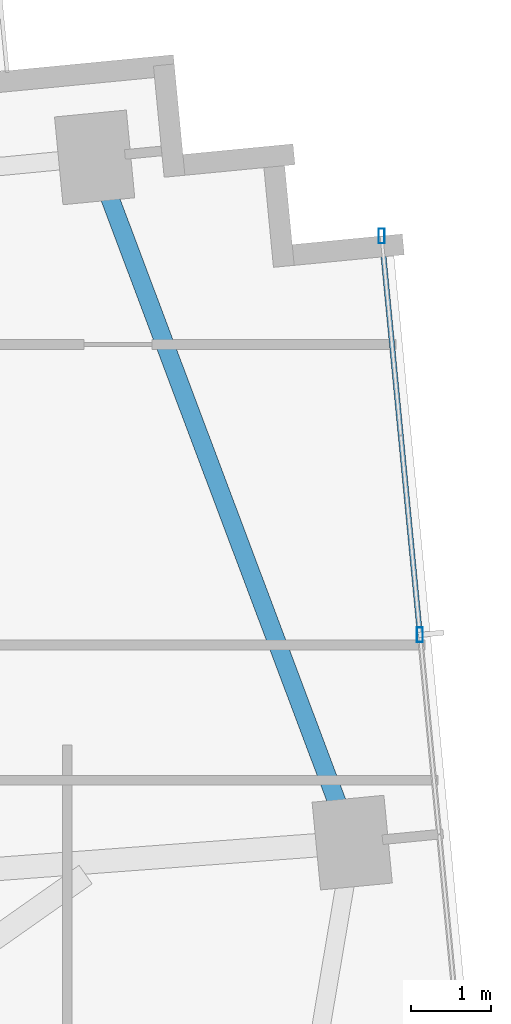
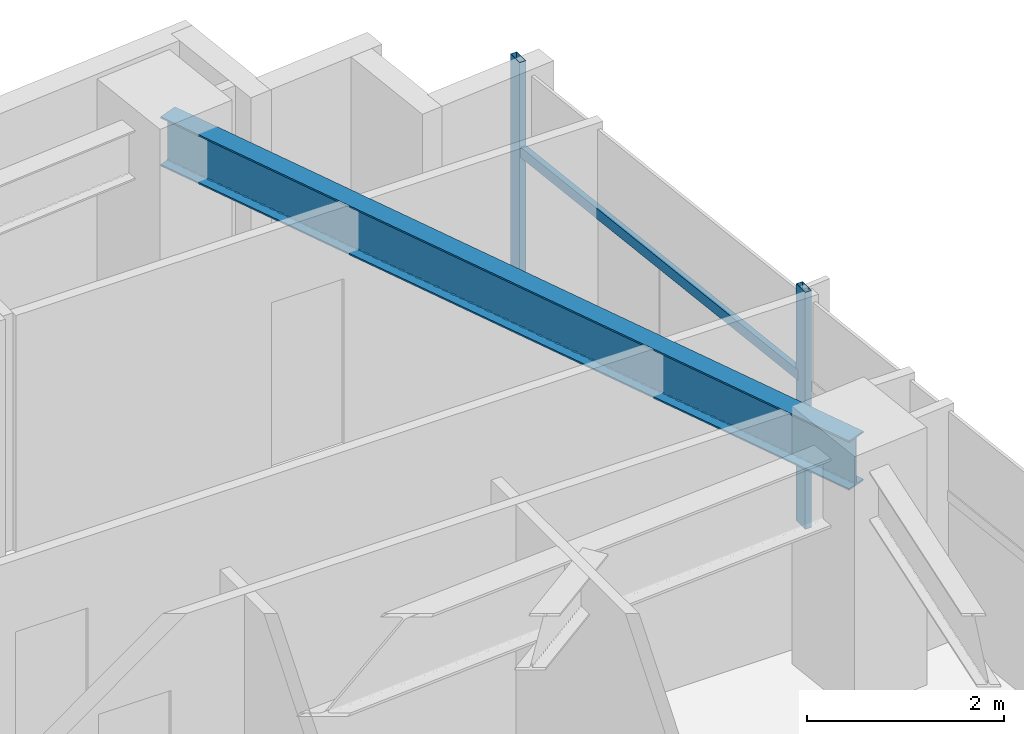
# One storey, part 17 of 25: 3 members, 1 beam, 1 element without a shape of its own.
"""IFC4 building model written with IfcOpenShell, lengths in metres."""

from ifc_helpers import new_model, si_unit, direction, frame, origin, origin_2d, place, context, subcontext, project, spatial, hollow_rectangle, i_section, extrude, source, transform, mapped, material, material_profile, profile_set, type_object, type_shapes, element, aggregate, save


model = new_model("IFC4")

# Units and contexts
model_context = context("Model", 3, precision=1e-05, world=origin(), true_north=direction((0.0, 1.0)))
body_context = subcontext(model_context, "Body", "Model", "MODEL_VIEW")
ifc_project = project(units=[si_unit("LENGTHUNIT", "METRE"), si_unit("AREAUNIT", "SQUARE_METRE"), si_unit("VOLUMEUNIT", "CUBIC_METRE"), si_unit("PLANEANGLEUNIT", "RADIAN"), si_unit("MASSUNIT", "GRAM", prefix="KILO")], contexts=[model_context])

# Site, building, storey
site_placement = place(None, origin())
site = spatial("IfcSite", under=ifc_project, at=site_placement, CompositionType="ELEMENT")
building_placement = place(site_placement, origin())
building = spatial("IfcBuilding", under=site, at=building_placement, Name="Astriad Promenade Condominiums", CompositionType="ELEMENT")
storey_placement = place(building_placement, frame((0.0, 0.0, 81.0)))
storey = spatial("IfcBuildingStorey", under=building, at=storey_placement, Name="L22", CompositionType="ELEMENT", Elevation=81.0)

# Beam
ifc_material_1 = material(Name="Steel ASTM A992 Grade 50", Category="steel")
ifc_material_profile_1 = material_profile(ifc_material_1, i_section(OverallWidth=0.22900390625, OverallDepth=0.612060546875, WebThickness=0.011962890625, FlangeThickness=0.01953125, FilletRadius=0.017822265625, at=origin_2d()), Name="W24X84")
ifc_profile_set_1 = profile_set([ifc_material_profile_1], Name="Steel ASTM A992 Grade 50")
beam_type = type_object("IfcBeamType", Name="STEEL SPANDREL BEAM W24X84", PredefinedType="SPANDREL", material=ifc_profile_set_1)
shared_shape_1 = source(origin(), body_context, "Body", "SweptSolid", [
    extrude(i_section(OverallWidth=0.22900390625, OverallDepth=0.612060546875, WebThickness=0.011962890625, FlangeThickness=0.01953125, FilletRadius=0.017822265625, at=origin_2d()), origin(), (0.0, 0.0, 1.0), 9.0556640625),
])
type_shapes(beam_type, [shared_shape_1])
beam_placement = place(storey_placement, frame((67.63427734375, 19.07666015625, 2.6337890625), z_axis=(-0.351856057459, 0.936054119605, 0.0), x_axis=(-0.936054119605, -0.351856057459, 0.0)))
element("IfcBeam", 1, at=beam_placement, inside=storey, type_object=beam_type, Name="Perimeter Spandrel Beam SP-E2-L22", PredefinedType="SPANDREL", context=body_context, shape_type="MappedRepresentation", body=[
    mapped(shared_shape_1, transform((0.0, 0.0, 0.0), scale=1.0)),
])

# Curtain wall, members
ifc_material_2 = material(Name="Anodised aluminium Black Dark Glass Unitised", Category="aluminium")
curtain_wall_type = type_object("IfcCurtainWallType", Name="CW-B2-DARK", PredefinedType="USERDEFINED", material=ifc_material_2)
curtain_wall_placement = place(storey_placement, origin())
curtain_wall = element("IfcCurtainWall", 2, at=curtain_wall_placement, inside=storey, type_object=curtain_wall_type, Name="CW-L22-E", ObjectType="UNITISED_CURTAIN_WALL", PredefinedType="USERDEFINED")
ifc_material_3 = material(Name="Anodised aluminium 6063-T6 Black", Category="aluminium")
ifc_material_profile_2 = material_profile(ifc_material_3, hollow_rectangle(XDim=0.074951171875, YDim=0.18505859375, WallThickness=0.00439453125, at=origin_2d()), Name="ALU-MUL-75X185")
ifc_profile_set_2 = profile_set([ifc_material_profile_2], Name="Anodised aluminium 6063-T6 Black")
member_type_1 = type_object("IfcMemberType", Name="MUL-ALU-MUL-75X185", PredefinedType="MULLION", material=ifc_profile_set_2)
shared_shape_2 = source(origin(), body_context, "Body", "SweptSolid", [
    extrude(hollow_rectangle(XDim=0.074951171875, YDim=0.18505859375, WallThickness=0.00439453125, at=origin_2d()), origin(), (0.0, 0.0, 1.0), 2.93994140625),
])
type_shapes(member_type_1, [shared_shape_2])
member_1_placement = place(storey_placement, frame((68.0146484375, 26.609130859375, 0.0), z_axis=(0.0, 0.0, 1.0), x_axis=(1.0, 0.0, 0.0)))
member_1 = element("IfcMember", 3, at=member_1_placement, type_object=member_type_1, Name="CW-L22-E-MUL-00", PredefinedType="MULLION", context=body_context, shape_type="MappedRepresentation", body=[
    mapped(shared_shape_2, transform((0.0, 0.0, 0.0), scale=1.0)),
])
member_2_placement = place(storey_placement, frame((68.493896484375, 21.632080078125, 0.0), z_axis=(0.0, 0.0, 1.0), x_axis=(1.0, 0.0, 0.0)))
member_2 = element("IfcMember", 4, at=member_2_placement, type_object=member_type_1, Name="CW-L22-E-MUL-01", PredefinedType="MULLION", context=body_context, shape_type="MappedRepresentation", body=[
    mapped(shared_shape_2, transform((0.0, 0.0, 0.0), scale=1.0)),
])
ifc_material_profile_3 = material_profile(ifc_material_3, hollow_rectangle(XDim=0.06494140625, YDim=0.1298828125, WallThickness=0.00390625, at=origin_2d()), Name="ALU-TRN-65X130")
ifc_profile_set_3 = profile_set([ifc_material_profile_3], Name="Anodised aluminium 6063-T6 Black")
member_type_2 = type_object("IfcMemberType", Name="TRN-ALU-TRN-65X130", PredefinedType="USERDEFINED", material=ifc_profile_set_3)
shared_shape_3 = source(origin(), body_context, "Body", "SweptSolid", [
    extrude(hollow_rectangle(XDim=0.06494140625, YDim=0.1298828125, WallThickness=0.00390625, at=origin_2d()), origin(), (0.0, 0.0, 1.0), 5.0),
])
type_shapes(member_type_2, [shared_shape_3])
member_3_placement = place(storey_placement, frame((68.0146484375, 26.609130859375, 1.82275390625), z_axis=(0.095848242264, -0.995395958629, 0.0), x_axis=(0.995395958629, 0.095848242264, 0.0)))
member_3 = element("IfcMember", 5, at=member_3_placement, type_object=member_type_2, Name="CW-L22-E-TRN-00-0", ObjectType="TRANSOM", PredefinedType="USERDEFINED", context=body_context, shape_type="MappedRepresentation", body=[
    mapped(shared_shape_3, transform((0.0, 0.0, 0.0), scale=1.0)),
])
aggregate(curtain_wall, [member_1, member_2, member_3])

save(model, "model.ifc")
